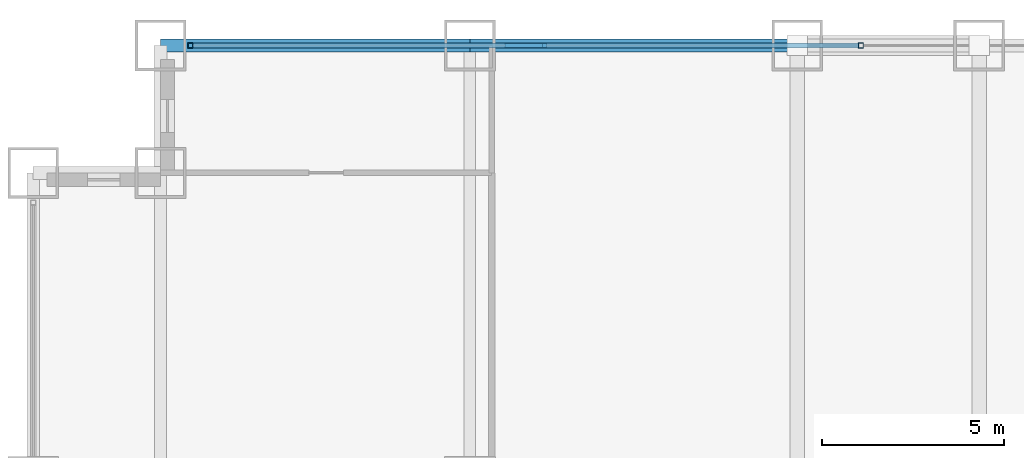
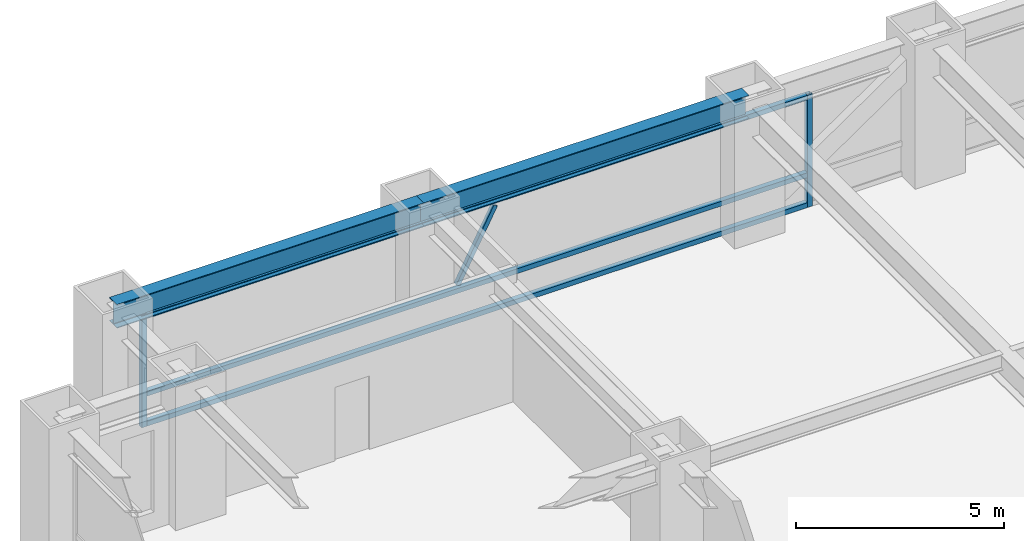
# One storey, part 19 of 28: 6 members, 2 beams, 1 element without a shape of its own.
"""IFC4 building model written with IfcOpenShell, lengths in metres."""

import ifcopenshell
import ifcopenshell.guid

model = None  # the IFC model being written
_history = None  # IfcOwnerHistory: only IFC2X3 demands one
_inside = {}  # id of a spatial element -> (the spatial element, [elements in it])
_under = {}  # id of a project, library or spatial element -> (it, [spatial elements below it])
_declared = {}  # id of a project -> (the project, [libraries it declares])
_typed = {}  # id of a type object -> (the type object, [elements of that type])
_made_of = {}  # id of a material, layer set ... -> (it, [elements and type objects made of it])


def new_model(schema):
    """Start an empty IFC model of exactly this schema.

    Asked for "IFC4X3", IfcOpenShell would pick the latest addendum, in which some entities
    have other attributes; the version numbers below select the first issue.
    IFC2X3 requires an IfcOwnerHistory on every rooted entity: one is made here for all.
    """
    global model, _history
    if schema == "IFC4X3":
        model = ifcopenshell.file(schema_version=(4, 3, 0, 0))
    else:
        model = ifcopenshell.file(schema=schema)
    _inside.clear()
    _under.clear()
    _declared.clear()
    _typed.clear()
    _made_of.clear()
    _history = None
    if model.schema == "IFC2X3":
        org = make("IfcOrganization", Name="unknown")
        user = make(
            "IfcPersonAndOrganization",
            ThePerson=make("IfcPerson", FamilyName="unknown"),
            TheOrganization=org,
        )
        app = make(
            "IfcApplication",
            ApplicationDeveloper=org,
            Version="unknown",
            ApplicationFullName="unknown",
            ApplicationIdentifier="unknown",
        )
        _history = make(
            "IfcOwnerHistory",
            OwningUser=user,
            OwningApplication=app,
            ChangeAction="ADDED",
            CreationDate=0,
        )
    return model


def make(cls, **values):
    """One entity of the class cls with the attributes given. An attribute that is None is left unset."""
    return model.create_entity(
        cls, **{name: value for name, value in values.items() if value is not None}
    )


def rooted(cls, **values):
    """An entity with a GlobalId (a new one), such as an element, a storey or a relation."""
    return make(cls, GlobalId=ifcopenshell.guid.new(), OwnerHistory=_history, **values)


def si_unit(unit_type, name, prefix=None):
    """IfcSIUnit, for example si_unit("LENGTHUNIT", "METRE", prefix="MILLI")."""
    return make("IfcSIUnit", UnitType=unit_type, Prefix=prefix, Name=name)


def assignment(units):
    """IfcUnitAssignment: the units of a project."""
    return None if units is None else make("IfcUnitAssignment", Units=units)


def point(xyz):
    """IfcCartesianPoint."""
    return None if xyz is None else make("IfcCartesianPoint", Coordinates=xyz)


def direction(xyz):
    """IfcDirection."""
    return None if xyz is None else make("IfcDirection", DirectionRatios=xyz)


def frame(location, z_axis=None, x_axis=None):
    """IfcAxis2Placement3D, a coordinate frame: its origin and axes. An axis left out is left unset."""
    return make(
        "IfcAxis2Placement3D",
        Location=point(location),
        Axis=direction(z_axis),
        RefDirection=direction(x_axis),
    )


def frame_2d(location, x_axis=None):
    """IfcAxis2Placement2D, a coordinate frame in the plane: its origin and x axis."""
    return make(
        "IfcAxis2Placement2D", Location=point(location), RefDirection=direction(x_axis)
    )


def origin():
    """The frame at (0, 0, 0) with its axes left unset."""
    return frame((0.0, 0.0, 0.0))


def origin_2d():
    """The frame at (0, 0) in the plane with its x axis left unset."""
    return frame_2d((0.0, 0.0))


def place(relative_to, where):
    """IfcLocalPlacement: puts the frame where relative to a parent placement (None: the world)."""
    return make(
        "IfcLocalPlacement", PlacementRelTo=relative_to, RelativePlacement=where
    )


def context(
    kind, dimensions, precision=None, world=None, true_north=None, identifier=None
):
    """IfcGeometricRepresentationContext, for example the 3D "Model" context."""
    return make(
        "IfcGeometricRepresentationContext",
        ContextIdentifier=identifier,
        ContextType=kind,
        CoordinateSpaceDimension=dimensions,
        Precision=precision,
        WorldCoordinateSystem=world,
        TrueNorth=true_north,
    )


def subcontext(parent, identifier, kind, view, scale=None):
    """IfcGeometricRepresentationSubContext, for example "Body" below "Model"."""
    return make(
        "IfcGeometricRepresentationSubContext",
        ContextIdentifier=identifier,
        ContextType=kind,
        ParentContext=parent,
        TargetScale=scale,
        TargetView=view,
    )


def project(units=None, contexts=None):
    """IfcProject with its units and contexts."""
    return rooted(
        "IfcProject",
        Name="project",
        RepresentationContexts=contexts,
        UnitsInContext=assignment(units),
    )


def spatial(cls, under=None, at=None, **own):
    """A site, building, storey or space (cls), placed at a placement, below another one or the project."""
    s = rooted(cls, ObjectPlacement=at, **own)
    if under is not None:
        _under.setdefault(under.id(), (under, []))[1].append(s)
    return s


def profile(cls, at=None, kind="AREA", **sizes):
    """A parametric profile (cls). Its sizes go by their IFC names, for example OverallWidth=200.0."""
    return make(cls, ProfileType=kind, Position=at, **sizes)


def hollow_rectangle(**sizes):
    """IfcRectangleHollowProfileDef."""
    return profile("IfcRectangleHollowProfileDef", **sizes)


def i_section(**sizes):
    """IfcIShapeProfileDef."""
    return profile("IfcIShapeProfileDef", **sizes)


def extrude(swept, where, along, depth):
    """IfcExtrudedAreaSolid: the profile swept, set in the frame where, extruded along a direction by depth."""
    return make(
        "IfcExtrudedAreaSolid",
        SweptArea=swept,
        Position=where,
        ExtrudedDirection=direction(along),
        Depth=depth,
    )


def shape(context_of_items, identifier, shape_type, items):
    """IfcShapeRepresentation: the items that make up one representation, for example the "Body"."""
    return make(
        "IfcShapeRepresentation",
        ContextOfItems=context_of_items,
        RepresentationIdentifier=identifier,
        RepresentationType=shape_type,
        Items=items,
    )


def source(mapping_origin, context_of_items, identifier, shape_type, items):
    """IfcRepresentationMap: a shape defined once, which mapped items show again and again."""
    return make(
        "IfcRepresentationMap",
        MappingOrigin=mapping_origin,
        MappedRepresentation=shape(context_of_items, identifier, shape_type, items),
    )


def transform(
    local_origin,
    x_axis=None,
    y_axis=None,
    z_axis=None,
    scale=None,
    scale2=None,
    scale3=None,
    uniform=True,
):
    """IfcCartesianTransformationOperator3D, or its non-uniform kind. x_axis, y_axis, z_axis: its Axis1, 2, 3."""
    if uniform:
        return make(
            "IfcCartesianTransformationOperator3D",
            Axis1=direction(x_axis),
            Axis2=direction(y_axis),
            LocalOrigin=point(local_origin),
            Scale=scale,
            Axis3=direction(z_axis),
        )
    return make(
        "IfcCartesianTransformationOperator3DnonUniform",
        Axis1=direction(x_axis),
        Axis2=direction(y_axis),
        LocalOrigin=point(local_origin),
        Scale=scale,
        Axis3=direction(z_axis),
        Scale2=scale2,
        Scale3=scale3,
    )


def mapped(mapping_source, mapping_target):
    """IfcMappedItem: shows the shape of a source again, moved by a transform."""
    return make(
        "IfcMappedItem", MappingSource=mapping_source, MappingTarget=mapping_target
    )


def material(Name=None, Category=None):
    """IfcMaterial."""
    return make("IfcMaterial", Name=Name, Category=Category)


def material_profile(
    of_material, cross_section, Name=None, Category=None, Priority=None
):
    """IfcMaterialProfile: a cross section and its material."""
    return make(
        "IfcMaterialProfile",
        Name=Name,
        Material=of_material,
        Profile=cross_section,
        Priority=Priority,
        Category=Category,
    )


def profile_set(profiles, Name=None, composite=None):
    """IfcMaterialProfileSet."""
    return make(
        "IfcMaterialProfileSet",
        Name=Name,
        MaterialProfiles=profiles,
        CompositeProfile=composite,
    )


def made_of(thing, what):
    """Note that an element or type object is made of a material, layer set ...; save() writes the relation."""
    if what is not None:
        _made_of.setdefault(what.id(), (what, []))[1].append(thing)
    return thing


def type_object(cls, material=None, **own):
    """A type object (cls), such as IfcWallType, which elements share."""
    return made_of(rooted(cls, **own), material)


def element(
    cls,
    number,
    at=None,
    inside=None,
    cuts=None,
    type_object=None,
    material=None,
    context=None,
    identifier="Body",
    shape_type=None,
    held_by="IfcProductDefinitionShape",
    body=None,
    shapes=None,
    **own,
):
    """One element of the class cls, such as IfcWall. Its Tag is "e" and its number.

    at: its placement. inside: the storey or other place that contains it. cuts: it is an
    opening in that element (IfcRelVoidsElement). A single representation is given by context,
    identifier, shape_type and body (its items); several are given by shapes. held_by: the class
    of the entity that holds the representations. save() writes the other relations.
    """
    e = rooted(cls, Tag="e%d" % number, ObjectPlacement=at, **own)
    if body is not None:
        shapes = [shape(context, identifier, shape_type, body)]
    if shapes is not None:
        e.Representation = make(held_by, Representations=shapes)
    if inside is not None:
        _inside.setdefault(inside.id(), (inside, []))[1].append(e)
    if cuts is not None:
        rooted(
            "IfcRelVoidsElement", RelatingBuildingElement=cuts, RelatedOpeningElement=e
        )
    if type_object is not None:
        _typed.setdefault(type_object.id(), (type_object, []))[1].append(e)
    return made_of(e, material)


def aggregate(whole, parts):
    """IfcRelAggregates: a whole, such as a stair, and the parts it consists of."""
    return rooted("IfcRelAggregates", RelatingObject=whole, RelatedObjects=parts)


def save(model, path):
    """Write the relations noted so far, then the file.

    IfcRelAggregates (storeys below a building ...), IfcRelContainedInSpatialStructure (elements
    in a storey), IfcRelDefinesByType, IfcRelAssociatesMaterial and IfcRelDeclares: one each for
    every whole, place, type object, material and project.
    """
    for whole, parts in _under.values():
        aggregate(whole, parts)
    for where, things in _inside.values():
        rooted(
            "IfcRelContainedInSpatialStructure",
            RelatedElements=things,
            RelatingStructure=where,
        )
    for kind, things in _typed.values():
        rooted("IfcRelDefinesByType", RelatedObjects=things, RelatingType=kind)
    for what, things in _made_of.values():
        rooted("IfcRelAssociatesMaterial", RelatedObjects=things, RelatingMaterial=what)
    for by, libraries in _declared.values():
        rooted("IfcRelDeclares", RelatingContext=by, RelatedDefinitions=libraries)
    model.write(path)


model = new_model("IFC4")

# Units and contexts
model_context = context("Model", 3, precision=1e-05, world=origin(), true_north=direction((0.0, 1.0)))
body_context = subcontext(model_context, "Body", "Model", "MODEL_VIEW")
ifc_project = project(units=[si_unit("LENGTHUNIT", "METRE"), si_unit("AREAUNIT", "SQUARE_METRE"), si_unit("VOLUMEUNIT", "CUBIC_METRE"), si_unit("PLANEANGLEUNIT", "RADIAN"), si_unit("MASSUNIT", "GRAM", prefix="KILO")], contexts=[model_context])

# Site, building, storey
site_placement = place(None, origin())
site = spatial("IfcSite", under=ifc_project, at=site_placement, CompositionType="ELEMENT")
building_placement = place(site_placement, origin())
building = spatial("IfcBuilding", under=site, at=building_placement, Name="Khorayat Bourse Tower", CompositionType="ELEMENT")
storey_placement = place(building_placement, frame((0.0, 0.0, 66.199951171875)))
storey = spatial("IfcBuildingStorey", under=building, at=storey_placement, Name="L14", CompositionType="ELEMENT", Elevation=66.199951171875)

# Beams
ifc_material_1 = material(Name="Steel ASTM A992 Grade 50", Category="steel")
ifc_material_profile_1 = material_profile(ifc_material_1, i_section(OverallWidth=0.35498046875, OverallDepth=0.695068359375, WebThickness=0.015380859375, FlangeThickness=0.02490234375, FilletRadius=0.01806640625, at=origin_2d()), Name="W690X217")
ifc_profile_set_1 = profile_set([ifc_material_profile_1], Name="Steel ASTM A992 Grade 50")
beam_type = type_object("IfcBeamType", Name="BM-SPAN-690", PredefinedType="SPANDREL", material=ifc_profile_set_1)
shared_shape_1 = source(origin(), body_context, "Body", "SweptSolid", [
    extrude(i_section(OverallWidth=0.35498046875, OverallDepth=0.695068359375, WebThickness=0.015380859375, FlangeThickness=0.02490234375, FilletRadius=0.01806640625, at=origin_2d()), origin(), (0.0, 0.0, 1.0), 8.5),
])
beam_1_placement = place(storey_placement, frame((-28.5, 32.0, 3.592529296875), z_axis=(1.0, 0.0, 0.0), x_axis=(0.0, 1.0, 0.0)))
element("IfcBeam", 1, at=beam_1_placement, inside=storey, type_object=beam_type, Name="L14 BM-SPAN-690 BM-L14-SPN-051", PredefinedType="SPANDREL", context=body_context, shape_type="MappedRepresentation", body=[
    mapped(shared_shape_1, transform((0.0, 0.0, 0.0), scale=1.0)),
])
shared_shape_2 = source(origin(), body_context, "Body", "SweptSolid", [
    extrude(i_section(OverallWidth=0.35498046875, OverallDepth=0.695068359375, WebThickness=0.015380859375, FlangeThickness=0.02490234375, FilletRadius=0.01806640625, at=origin_2d()), origin(), (0.0, 0.0, 1.0), 9.0),
])
beam_2_placement = place(storey_placement, frame((-20.0, 32.0, 3.592529296875), z_axis=(1.0, 0.0, 0.0), x_axis=(0.0, 1.0, 0.0)))
element("IfcBeam", 2, at=beam_2_placement, inside=storey, type_object=beam_type, Name="L14 BM-SPAN-690 BM-L14-SPN-050", PredefinedType="SPANDREL", context=body_context, shape_type="MappedRepresentation", body=[
    mapped(shared_shape_2, transform((0.0, 0.0, 0.0), scale=1.0)),
])

# Curtain wall, members
ifc_material_2 = material(Name="Aluminium EN AW-6063 T6", Category="aluminium")
curtain_wall_type = type_object("IfcCurtainWallType", Name="CW-SYS-02", PredefinedType="NOTDEFINED", material=ifc_material_2)
curtain_wall_placement = place(storey_placement, origin())
curtain_wall = element("IfcCurtainWall", 3, at=curtain_wall_placement, inside=storey, type_object=curtain_wall_type, Name="L14 Curtain Wall CW-L14-N1", PredefinedType="NOTDEFINED")
ifc_material_profile_2 = material_profile(ifc_material_2, hollow_rectangle(XDim=0.139892578125, YDim=0.139892578125, WallThickness=0.006103515625, at=origin_2d()), Name="ALU 140x140x6")
ifc_profile_set_2 = profile_set([ifc_material_profile_2], Name="Aluminium EN AW-6063 T6")
member_type_1 = type_object("IfcMemberType", Name="CWT-HORZ-140", PredefinedType="USERDEFINED", material=ifc_profile_set_2)
shared_shape_3 = source(origin(), body_context, "Body", "SweptSolid", [
    extrude(hollow_rectangle(XDim=0.139892578125, YDim=0.139892578125, WallThickness=0.006103515625, at=origin_2d()), origin(), (0.0, 0.0, 1.0), 18.2900390625),
])
member_1_placement = place(storey_placement, frame((-27.610107421875, 32.0, 0.070068359375), z_axis=(1.0, 0.0, 0.0), x_axis=(0.0, 1.0, 0.0)))
member_1 = element("IfcMember", 4, at=member_1_placement, type_object=member_type_1, Name="CW-L14-N1 Horizontal Transom 1-1", ObjectType="TRANSOM", PredefinedType="USERDEFINED", context=body_context, shape_type="MappedRepresentation", body=[
    mapped(shared_shape_3, transform((0.0, 0.0, 0.0), scale=1.0)),
])
member_2_placement = place(storey_placement, frame((-27.610107421875, 32.0, 0.949951171875), z_axis=(1.0, 0.0, 0.0), x_axis=(0.0, 1.0, 0.0)))
member_2 = element("IfcMember", 5, at=member_2_placement, type_object=member_type_1, Name="CW-L14-N1 Horizontal Transom 1-2", ObjectType="TRANSOM", PredefinedType="USERDEFINED", context=body_context, shape_type="MappedRepresentation", body=[
    mapped(shared_shape_3, transform((0.0, 0.0, 0.0), scale=1.0)),
])
member_3_placement = place(storey_placement, frame((-27.610107421875, 32.0, 3.219970703125), z_axis=(1.0, 0.0, 0.0), x_axis=(0.0, 1.0, 0.0)))
member_3 = element("IfcMember", 6, at=member_3_placement, type_object=member_type_1, Name="CW-L14-N1 Horizontal Transom 1-3", ObjectType="TRANSOM", PredefinedType="USERDEFINED", context=body_context, shape_type="MappedRepresentation", body=[
    mapped(shared_shape_3, transform((0.0, 0.0, 0.0), scale=1.0)),
])
ifc_material_profile_3 = material_profile(ifc_material_2, hollow_rectangle(XDim=0.1201171875, YDim=0.1201171875, WallThickness=0.0048828125, at=origin_2d()), Name="ALU 120x120x5")
ifc_profile_set_3 = profile_set([ifc_material_profile_3], Name="Aluminium EN AW-6063 T6")
member_type_2 = type_object("IfcMemberType", Name="CWM-DIAG-120", PredefinedType="MULLION", material=ifc_profile_set_3)
shared_shape_4 = source(origin(), body_context, "Body", "SweptSolid", [
    extrude(hollow_rectangle(XDim=0.1201171875, YDim=0.1201171875, WallThickness=0.0048828125, at=origin_2d()), origin(), (0.0, 0.0, 1.0), 2.22607421875),
])
member_4_placement = place(storey_placement, frame((-18.9833984375, 32.0, 1.10009765625), z_axis=(0.465759992596, 0.0, 0.884911085532), x_axis=(0.0, 1.0, 0.0)))
member_4 = element("IfcMember", 7, at=member_4_placement, type_object=member_type_2, Name="CW-L14-N1 Faceted Diagonal Mullion 1", PredefinedType="MULLION", context=body_context, shape_type="MappedRepresentation", body=[
    mapped(shared_shape_4, transform((0.0, 0.0, 0.0), scale=1.0)),
])
ifc_material_profile_4 = material_profile(ifc_material_2, hollow_rectangle(XDim=0.139892578125, YDim=0.139892578125, WallThickness=0.006103515625, at=origin_2d()), Name="ALU 140x140x6")
ifc_profile_set_4 = profile_set([ifc_material_profile_4], Name="Aluminium EN AW-6063 T6")
member_type_3 = type_object("IfcMemberType", Name="CWM-VERT-140", PredefinedType="MULLION", material=ifc_profile_set_4)
shared_shape_5 = source(origin(), body_context, "Body", "SweptSolid", [
    extrude(hollow_rectangle(XDim=0.139892578125, YDim=0.139892578125, WallThickness=0.006103515625, at=origin_2d()), origin(), (0.0, 0.0, 1.0), 3.2900390625),
])
member_5_placement = place(storey_placement, frame((-27.679931640625, 32.0, 0.0), z_axis=(0.0, 0.0, 1.0), x_axis=(0.0, 1.0, 0.0)))
member_5 = element("IfcMember", 8, at=member_5_placement, type_object=member_type_3, Name="CW-L14-N1 Vertical Mullion 1", PredefinedType="MULLION", context=body_context, shape_type="MappedRepresentation", body=[
    mapped(shared_shape_5, transform((0.0, 0.0, 0.0), scale=1.0)),
])
member_6_placement = place(storey_placement, frame((-9.25, 32.0, 0.0), z_axis=(0.0, 0.0, 1.0), x_axis=(0.0, 1.0, 0.0)))
member_6 = element("IfcMember", 9, at=member_6_placement, type_object=member_type_3, Name="CW-L14-N1 Vertical Mullion 2", PredefinedType="MULLION", context=body_context, shape_type="MappedRepresentation", body=[
    mapped(shared_shape_5, transform((0.0, 0.0, 0.0), scale=1.0)),
])
aggregate(curtain_wall, [member_5, member_6, member_1, member_2, member_3, member_4])

save(model, "model.ifc")
